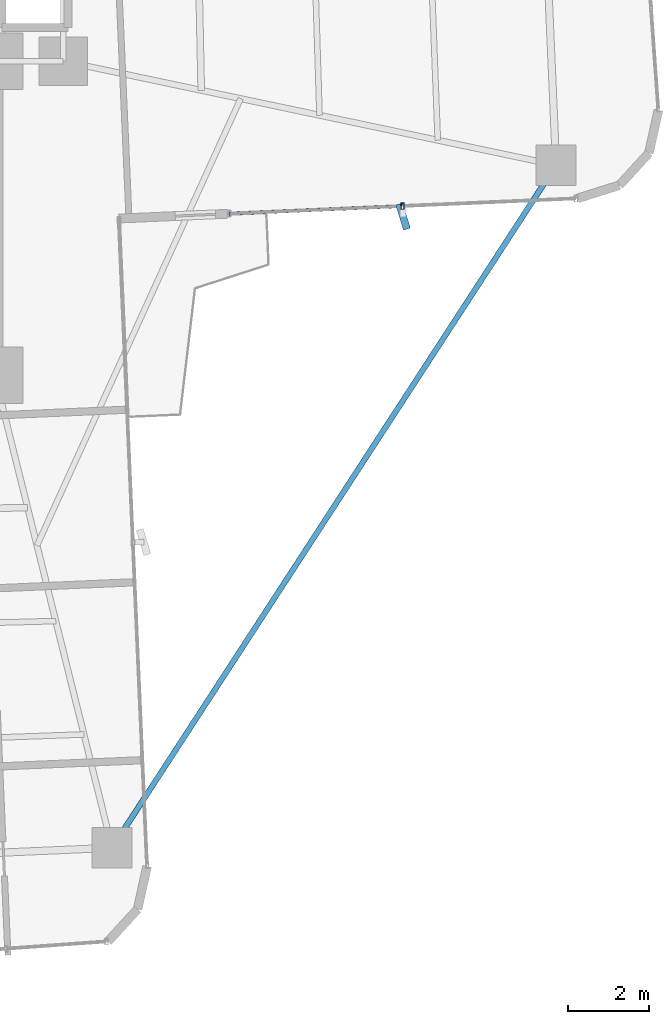
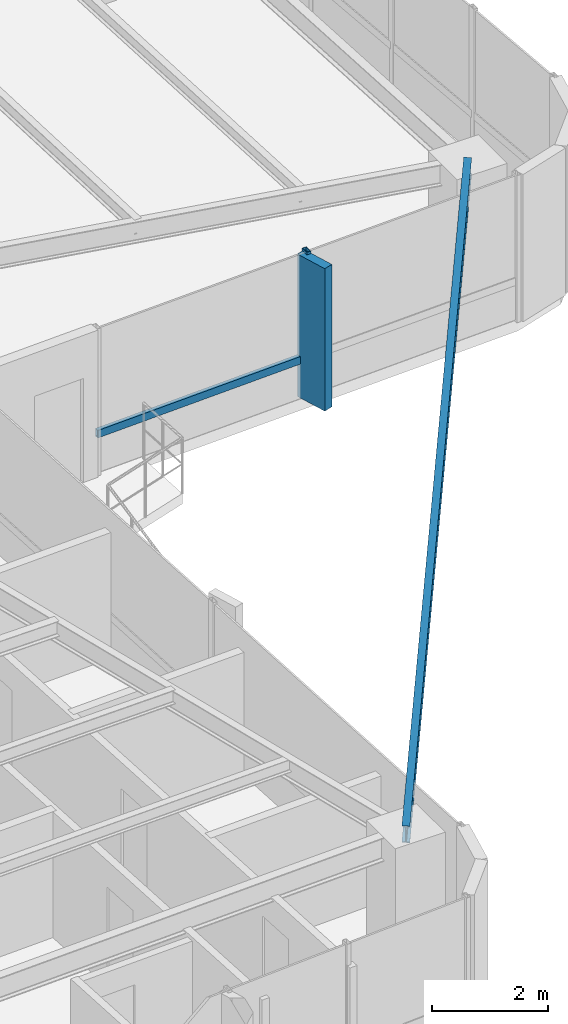
# One storey, part 14 of 26: 3 members, 1 beam, 1 element without a shape of its own.
"""IFC4 building model written with IfcOpenShell, lengths in metres."""

from ifc_helpers import new_model, si_unit, direction, frame, origin, origin_2d, place, context, subcontext, project, spatial, rectangle, hollow_rectangle, i_section, extrude, source, transform, mapped, material, material_profile, profile_set, type_object, element, aggregate, save


model = new_model("IFC4")

# Units and contexts
model_context = context("Model", 3, precision=1e-05, world=origin(), true_north=direction((0.0, 1.0)))
body_context = subcontext(model_context, "Body", "Model", "MODEL_VIEW")
ifc_project = project(units=[si_unit("LENGTHUNIT", "METRE"), si_unit("AREAUNIT", "SQUARE_METRE"), si_unit("VOLUMEUNIT", "CUBIC_METRE"), si_unit("PLANEANGLEUNIT", "RADIAN"), si_unit("MASSUNIT", "GRAM", prefix="KILO")], contexts=[model_context])

# Site, building, storey
site_placement = place(None, origin())
site = spatial("IfcSite", under=ifc_project, at=site_placement, CompositionType="ELEMENT")
building_placement = place(site_placement, origin())
building = spatial("IfcBuilding", under=site, at=building_placement, Name="Sahyath Konkavel Grand Hotel", CompositionType="ELEMENT")
storey_placement = place(building_placement, frame((0.0, 0.0, 121.5)))
storey = spatial("IfcBuildingStorey", under=building, at=storey_placement, Name="L33", CompositionType="ELEMENT", Elevation=121.5)

# Beam
ifc_material_1 = material(Name="Steel E350", Category="steel")
ifc_material_profile_1 = material_profile(ifc_material_1, i_section(OverallWidth=0.139892578125, OverallDepth=0.35009765625, WebThickness=0.008056640625, FlangeThickness=0.01416015625, FilletRadius=0.013916015625, at=origin_2d()), Name="ISMB 350")
ifc_profile_set_1 = profile_set([ifc_material_profile_1], Name="Steel E350")
beam_type = type_object("IfcBeamType", Name="BM-ISMB350", PredefinedType="BEAM", material=ifc_profile_set_1)
shared_shape_1 = source(origin(), body_context, "Body", "SweptSolid", [
    extrude(i_section(OverallWidth=0.139892578125, OverallDepth=0.35009765625, WebThickness=0.008056640625, FlangeThickness=0.01416015625, FilletRadius=0.013916015625, at=origin_2d()), origin(), (0.0, 0.0, 1.0), 20.21533203125),
])
beam_placement = place(storey_placement, frame((17.734130859375, -4.981201171875, 2.93505859375), z_axis=(-0.545191244931, -0.838311700056, 0.0), x_axis=(0.838311700056, -0.545191244931, 0.0)))
element("IfcBeam", 1, at=beam_placement, inside=storey, type_object=beam_type, Name="L33 Re-Entrant Tie Beam SE", PredefinedType="BEAM", context=body_context, shape_type="MappedRepresentation", body=[
    mapped(shared_shape_1, transform((0.0, 0.0, 0.0), scale=1.0)),
])

# Curtain wall, members
ifc_material_2 = material(Name="Anodised Bronze Aluminium & Low-E Glazing", Category="aluminium")
curtain_wall_type = type_object("IfcCurtainWallType", Name="CW-ZONE2", PredefinedType="NOTDEFINED", material=ifc_material_2)
curtain_wall_placement = place(storey_placement, origin())
curtain_wall = element("IfcCurtainWall", 2, at=curtain_wall_placement, inside=storey, type_object=curtain_wall_type, Name="L33 Unitised Curtain Wall F0", PredefinedType="NOTDEFINED")
ifc_material_3 = material(Name="Warm Buff Sandstone Cladding on Concrete C50/60", Category="masonry")
ifc_material_profile_2 = material_profile(ifc_material_3, rectangle(XDim=0.179931640625, YDim=0.64990234375, at=origin_2d()), Name="FIN 180x650")
ifc_profile_set_2 = profile_set([ifc_material_profile_2], Name="Warm Buff Sandstone Cladding on Concrete C50/60")
member_type_1 = type_object("IfcMemberType", Name="FIN-SANDSTONE-650", PredefinedType="MULLION", material=ifc_profile_set_2)
shared_shape_2 = source(origin(), body_context, "Body", "SweptSolid", [
    extrude(rectangle(XDim=0.179931640625, YDim=0.64990234375, at=origin_2d()), origin(), (0.0, 0.0, 1.0), 3.010009765625),
])
member_1_placement = place(storey_placement, frame((13.936279296875, -6.258056640625, 0.050048828125), z_axis=(0.0, 0.0, 1.0), x_axis=(0.956610402488, 0.291370104596, 0.0)))
member_1 = element("IfcMember", 3, at=member_1_placement, type_object=member_type_1, Name="L33 Sandstone Vertical Solar Fin FIN F0-1", PredefinedType="MULLION", context=body_context, shape_type="MappedRepresentation", body=[
    mapped(shared_shape_2, transform((0.0, 0.0, 0.0), scale=1.0)),
])
ifc_material_4 = material(Name="Anodised Bronze Aluminium", Category="aluminium")
ifc_material_profile_3 = material_profile(ifc_material_4, hollow_rectangle(XDim=0.080078125, YDim=0.159912109375, WallThickness=0.006103515625, at=origin_2d()), Name="RHS 160x80x6")
ifc_profile_set_3 = profile_set([ifc_material_profile_3], Name="Anodised Bronze Aluminium")
member_type_2 = type_object("IfcMemberType", Name="CW-MUL-160", PredefinedType="MULLION", material=ifc_profile_set_3)
shared_shape_3 = source(origin(), body_context, "Body", "SweptSolid", [
    extrude(hollow_rectangle(XDim=0.080078125, YDim=0.159912109375, WallThickness=0.006103515625, at=origin_2d()), origin(), (0.0, 0.0, 1.0), 3.110107421875),
])
member_2_placement = place(storey_placement, frame((13.9248046875, -5.998291015625, 0.0), z_axis=(0.0, 0.0, 1.0), x_axis=(1.0, 0.0, 0.0)))
member_2 = element("IfcMember", 4, at=member_2_placement, type_object=member_type_2, Name="L33 Curtain Wall Mullion F0-1", PredefinedType="MULLION", context=body_context, shape_type="MappedRepresentation", body=[
    mapped(shared_shape_3, transform((0.0, 0.0, 0.0), scale=1.0)),
])
ifc_material_profile_4 = material_profile(ifc_material_4, hollow_rectangle(XDim=0.080078125, YDim=0.159912109375, WallThickness=0.006103515625, at=origin_2d()), Name="RHS 160x80x6")
ifc_profile_set_4 = profile_set([ifc_material_profile_4], Name="Anodised Bronze Aluminium")
member_type_3 = type_object("IfcMemberType", Name="CW-TRN-160", PredefinedType="USERDEFINED", material=ifc_profile_set_4)
shared_shape_4 = source(origin(), body_context, "Body", "SweptSolid", [
    extrude(hollow_rectangle(XDim=0.080078125, YDim=0.159912109375, WallThickness=0.006103515625, at=origin_2d()), origin(), (0.0, 0.0, 1.0), 4.31005859375),
])
member_3_placement = place(storey_placement, frame((9.618896484375, -6.186279296875, 0.85009765625), z_axis=(0.999048340188, 0.043616670746, 0.0), x_axis=(-0.043616670746, 0.999048340188, 0.0)))
member_3 = element("IfcMember", 5, at=member_3_placement, type_object=member_type_3, Name="L33 Curtain Wall Transom F0-0-spandrel", ObjectType="TRANSOM", PredefinedType="USERDEFINED", context=body_context, shape_type="MappedRepresentation", body=[
    mapped(shared_shape_4, transform((0.0, 0.0, 0.0), scale=1.0)),
])
aggregate(curtain_wall, [member_2, member_1, member_3])

save(model, "model.ifc")
